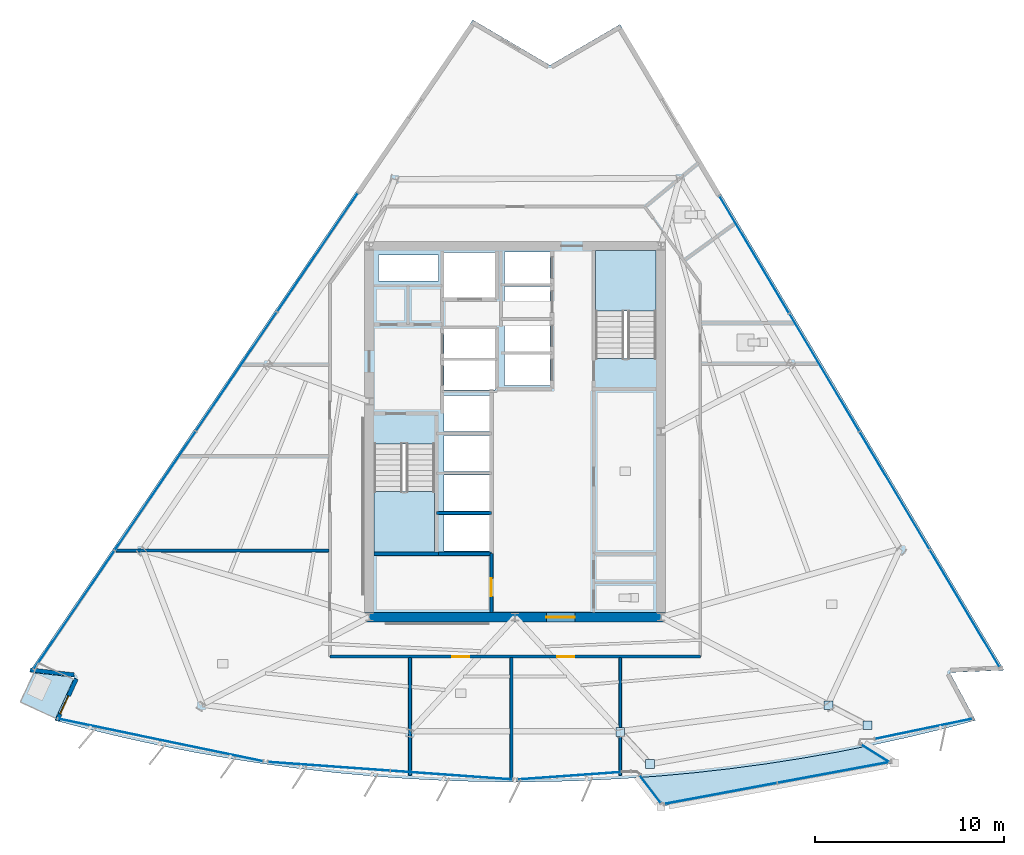
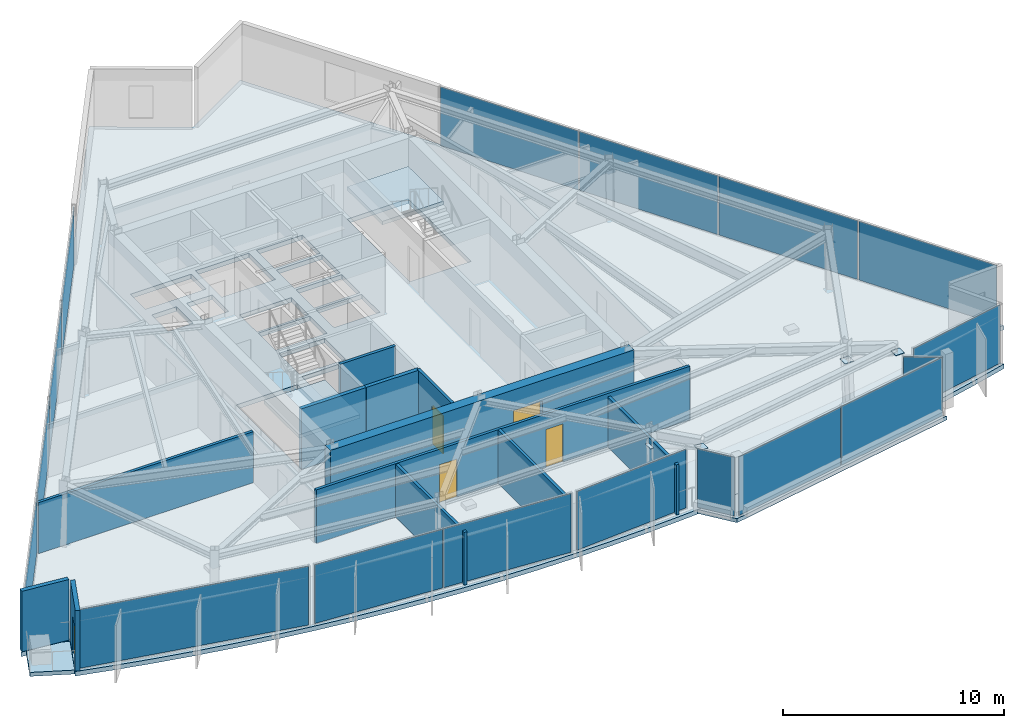
# One storey, part 7 of 13: 21 plates, 12 walls, 5 doors, 5 slabs, 5 openings, 11 elements without a shape of their own.
"""IFC4 building model written with IfcOpenShell, lengths in metres."""

import ifcopenshell
import ifcopenshell.guid

model = None  # the IFC model being written
_history = None  # IfcOwnerHistory: only IFC2X3 demands one
_inside = {}  # id of a spatial element -> (the spatial element, [elements in it])
_under = {}  # id of a project, library or spatial element -> (it, [spatial elements below it])
_declared = {}  # id of a project -> (the project, [libraries it declares])
_typed = {}  # id of a type object -> (the type object, [elements of that type])
_made_of = {}  # id of a material, layer set ... -> (it, [elements and type objects made of it])


def new_model(schema):
    """Start an empty IFC model of exactly this schema.

    Asked for "IFC4X3", IfcOpenShell would pick the latest addendum, in which some entities
    have other attributes; the version numbers below select the first issue.
    IFC2X3 requires an IfcOwnerHistory on every rooted entity: one is made here for all.
    """
    global model, _history
    if schema == "IFC4X3":
        model = ifcopenshell.file(schema_version=(4, 3, 0, 0))
    else:
        model = ifcopenshell.file(schema=schema)
    _inside.clear()
    _under.clear()
    _declared.clear()
    _typed.clear()
    _made_of.clear()
    _history = None
    if model.schema == "IFC2X3":
        org = make("IfcOrganization", Name="unknown")
        user = make(
            "IfcPersonAndOrganization",
            ThePerson=make("IfcPerson", FamilyName="unknown"),
            TheOrganization=org,
        )
        app = make(
            "IfcApplication",
            ApplicationDeveloper=org,
            Version="unknown",
            ApplicationFullName="unknown",
            ApplicationIdentifier="unknown",
        )
        _history = make(
            "IfcOwnerHistory",
            OwningUser=user,
            OwningApplication=app,
            ChangeAction="ADDED",
            CreationDate=0,
        )
    return model


def make(cls, **values):
    """One entity of the class cls with the attributes given. An attribute that is None is left unset."""
    return model.create_entity(
        cls, **{name: value for name, value in values.items() if value is not None}
    )


def rooted(cls, **values):
    """An entity with a GlobalId (a new one), such as an element, a storey or a relation."""
    return make(cls, GlobalId=ifcopenshell.guid.new(), OwnerHistory=_history, **values)


def si_unit(unit_type, name, prefix=None):
    """IfcSIUnit, for example si_unit("LENGTHUNIT", "METRE", prefix="MILLI")."""
    return make("IfcSIUnit", UnitType=unit_type, Prefix=prefix, Name=name)


def assignment(units):
    """IfcUnitAssignment: the units of a project."""
    return None if units is None else make("IfcUnitAssignment", Units=units)


def point(xyz):
    """IfcCartesianPoint."""
    return None if xyz is None else make("IfcCartesianPoint", Coordinates=xyz)


def direction(xyz):
    """IfcDirection."""
    return None if xyz is None else make("IfcDirection", DirectionRatios=xyz)


def frame(location, z_axis=None, x_axis=None):
    """IfcAxis2Placement3D, a coordinate frame: its origin and axes. An axis left out is left unset."""
    return make(
        "IfcAxis2Placement3D",
        Location=point(location),
        Axis=direction(z_axis),
        RefDirection=direction(x_axis),
    )


def frame_2d(location, x_axis=None):
    """IfcAxis2Placement2D, a coordinate frame in the plane: its origin and x axis."""
    return make(
        "IfcAxis2Placement2D", Location=point(location), RefDirection=direction(x_axis)
    )


def origin():
    """The frame at (0, 0, 0) with its axes left unset."""
    return frame((0.0, 0.0, 0.0))


def origin_2d():
    """The frame at (0, 0) in the plane with its x axis left unset."""
    return frame_2d((0.0, 0.0))


def place(relative_to, where):
    """IfcLocalPlacement: puts the frame where relative to a parent placement (None: the world)."""
    return make(
        "IfcLocalPlacement", PlacementRelTo=relative_to, RelativePlacement=where
    )


def context(
    kind, dimensions, precision=None, world=None, true_north=None, identifier=None
):
    """IfcGeometricRepresentationContext, for example the 3D "Model" context."""
    return make(
        "IfcGeometricRepresentationContext",
        ContextIdentifier=identifier,
        ContextType=kind,
        CoordinateSpaceDimension=dimensions,
        Precision=precision,
        WorldCoordinateSystem=world,
        TrueNorth=true_north,
    )


def subcontext(parent, identifier, kind, view, scale=None):
    """IfcGeometricRepresentationSubContext, for example "Body" below "Model"."""
    return make(
        "IfcGeometricRepresentationSubContext",
        ContextIdentifier=identifier,
        ContextType=kind,
        ParentContext=parent,
        TargetScale=scale,
        TargetView=view,
    )


def project(units=None, contexts=None):
    """IfcProject with its units and contexts."""
    return rooted(
        "IfcProject",
        Name="project",
        RepresentationContexts=contexts,
        UnitsInContext=assignment(units),
    )


def spatial(cls, under=None, at=None, **own):
    """A site, building, storey or space (cls), placed at a placement, below another one or the project."""
    s = rooted(cls, ObjectPlacement=at, **own)
    if under is not None:
        _under.setdefault(under.id(), (under, []))[1].append(s)
    return s


def polyline(points):
    """IfcPolyline through the points."""
    return make("IfcPolyline", Points=[point(p) for p in points])


def profile(cls, at=None, kind="AREA", **sizes):
    """A parametric profile (cls). Its sizes go by their IFC names, for example OverallWidth=200.0."""
    return make(cls, ProfileType=kind, Position=at, **sizes)


def rectangle(**sizes):
    """IfcRectangleProfileDef."""
    return profile("IfcRectangleProfileDef", **sizes)


def outline(outer, holes=None, kind="AREA"):
    """IfcArbitraryClosedProfileDef: a profile drawn as a closed curve; with holes, ...WithVoids."""
    if holes is None:
        return make("IfcArbitraryClosedProfileDef", ProfileType=kind, OuterCurve=outer)
    return make(
        "IfcArbitraryProfileDefWithVoids",
        ProfileType=kind,
        OuterCurve=outer,
        InnerCurves=holes,
    )


def extrude(swept, where, along, depth):
    """IfcExtrudedAreaSolid: the profile swept, set in the frame where, extruded along a direction by depth."""
    return make(
        "IfcExtrudedAreaSolid",
        SweptArea=swept,
        Position=where,
        ExtrudedDirection=direction(along),
        Depth=depth,
    )


def shape(context_of_items, identifier, shape_type, items):
    """IfcShapeRepresentation: the items that make up one representation, for example the "Body"."""
    return make(
        "IfcShapeRepresentation",
        ContextOfItems=context_of_items,
        RepresentationIdentifier=identifier,
        RepresentationType=shape_type,
        Items=items,
    )


def material(Name=None, Category=None):
    """IfcMaterial."""
    return make("IfcMaterial", Name=Name, Category=Category)


def layer(
    of_material, thickness, ventilated=None, Name=None, Category=None, Priority=None
):
    """IfcMaterialLayer: one layer of a wall or slab, of a material (None: an air gap)."""
    return make(
        "IfcMaterialLayer",
        Material=of_material,
        LayerThickness=thickness,
        IsVentilated=ventilated,
        Name=Name,
        Category=Category,
        Priority=Priority,
    )


def layer_set(layers, Name=None):
    """IfcMaterialLayerSet."""
    return make("IfcMaterialLayerSet", MaterialLayers=layers, LayerSetName=Name)


def made_of(thing, what):
    """Note that an element or type object is made of a material, layer set ...; save() writes the relation."""
    if what is not None:
        _made_of.setdefault(what.id(), (what, []))[1].append(thing)
    return thing


def type_object(cls, material=None, **own):
    """A type object (cls), such as IfcWallType, which elements share."""
    return made_of(rooted(cls, **own), material)


def element(
    cls,
    number,
    at=None,
    inside=None,
    cuts=None,
    type_object=None,
    material=None,
    context=None,
    identifier="Body",
    shape_type=None,
    held_by="IfcProductDefinitionShape",
    body=None,
    shapes=None,
    **own,
):
    """One element of the class cls, such as IfcWall. Its Tag is "e" and its number.

    at: its placement. inside: the storey or other place that contains it. cuts: it is an
    opening in that element (IfcRelVoidsElement). A single representation is given by context,
    identifier, shape_type and body (its items); several are given by shapes. held_by: the class
    of the entity that holds the representations. save() writes the other relations.
    """
    e = rooted(cls, Tag="e%d" % number, ObjectPlacement=at, **own)
    if body is not None:
        shapes = [shape(context, identifier, shape_type, body)]
    if shapes is not None:
        e.Representation = make(held_by, Representations=shapes)
    if inside is not None:
        _inside.setdefault(inside.id(), (inside, []))[1].append(e)
    if cuts is not None:
        rooted(
            "IfcRelVoidsElement", RelatingBuildingElement=cuts, RelatedOpeningElement=e
        )
    if type_object is not None:
        _typed.setdefault(type_object.id(), (type_object, []))[1].append(e)
    return made_of(e, material)


def fill(opening, filler):
    """IfcRelFillsElement: the door or window that sits in an opening."""
    return rooted(
        "IfcRelFillsElement",
        RelatingOpeningElement=opening,
        RelatedBuildingElement=filler,
    )


def aggregate(whole, parts):
    """IfcRelAggregates: a whole, such as a stair, and the parts it consists of."""
    return rooted("IfcRelAggregates", RelatingObject=whole, RelatedObjects=parts)


def save(model, path):
    """Write the relations noted so far, then the file.

    IfcRelAggregates (storeys below a building ...), IfcRelContainedInSpatialStructure (elements
    in a storey), IfcRelDefinesByType, IfcRelAssociatesMaterial and IfcRelDeclares: one each for
    every whole, place, type object, material and project.
    """
    for whole, parts in _under.values():
        aggregate(whole, parts)
    for where, things in _inside.values():
        rooted(
            "IfcRelContainedInSpatialStructure",
            RelatedElements=things,
            RelatingStructure=where,
        )
    for kind, things in _typed.values():
        rooted("IfcRelDefinesByType", RelatedObjects=things, RelatingType=kind)
    for what, things in _made_of.values():
        rooted("IfcRelAssociatesMaterial", RelatedObjects=things, RelatingMaterial=what)
    for by, libraries in _declared.values():
        rooted("IfcRelDeclares", RelatingContext=by, RelatedDefinitions=libraries)
    model.write(path)


model = new_model("IFC4")

# Units and contexts
model_context = context("Model", 3, precision=1e-05, world=origin(), true_north=direction((0.0, 1.0)))
body_context = subcontext(model_context, "Body", "Model", "MODEL_VIEW")
ifc_project = project(units=[si_unit("LENGTHUNIT", "METRE"), si_unit("AREAUNIT", "SQUARE_METRE"), si_unit("VOLUMEUNIT", "CUBIC_METRE"), si_unit("PLANEANGLEUNIT", "RADIAN"), si_unit("MASSUNIT", "GRAM", prefix="KILO")], contexts=[model_context])

# Site, building, storey
site_placement = place(None, origin())
site = spatial("IfcSite", under=ifc_project, at=site_placement, CompositionType="ELEMENT")
building_placement = place(site_placement, origin())
building = spatial("IfcBuilding", under=site, at=building_placement, Name="Savorim Split Tower", CompositionType="ELEMENT")
storey_placement = place(building_placement, frame((0.0, 0.0, 216.300048828125)))
storey = spatial("IfcBuildingStorey", under=building, at=storey_placement, Name="L57", CompositionType="ELEMENT", Elevation=216.300048828125)

# Curtain wall, plate
ifc_material_1 = material(Name="Dark Ceramic-Fritted Insulated Glass", Category="glass")
curtain_wall_type_1 = type_object("IfcCurtainWallType", Name="CW-TWR-FRIT-B", PredefinedType="NOTDEFINED", material=ifc_material_1)
curtain_wall_1_placement = place(storey_placement, origin())
curtain_wall_1 = element("IfcCurtainWall", 1, at=curtain_wall_1_placement, inside=storey, type_object=curtain_wall_type_1, Name="L57 Curtain Wall CW-L57-SF1A", PredefinedType="NOTDEFINED")
ifc_layer_1 = layer(ifc_material_1, 0.02587890625)
ifc_layer_set_1 = layer_set([ifc_layer_1], Name="CWP-FRITB-26")
plate_type_1 = type_object("IfcPlateType", Name="CWP-FRITB-26", PredefinedType="CURTAIN_PANEL", material=ifc_layer_set_1)
plate_1_placement = place(storey_placement, frame((-18.731201171875, -15.885009765625, 0.050048828125), z_axis=(0.0, 0.0, 1.0), x_axis=(0.979135083641, -0.203210452448, 0.0)))
plate_1 = element("IfcPlate", 2, at=plate_1_placement, type_object=plate_type_1, Name="CW-03 panel 1.1", PredefinedType="CURTAIN_PANEL", context=body_context, shape_type="SweptSolid", body=[
    extrude(rectangle(XDim=11.026611328125, YDim=0.02587890625, at=origin_2d()), origin(), (0.0, 0.0, 1.0), 3.25),
])
aggregate(curtain_wall_1, [plate_1])

# Curtain wall, plates
curtain_wall_2_placement = place(storey_placement, origin())
curtain_wall_2 = element("IfcCurtainWall", 3, at=curtain_wall_2_placement, inside=storey, type_object=curtain_wall_type_1, Name="L57 Curtain Wall CW-L57-SF2A", PredefinedType="NOTDEFINED")
plate_2_placement = place(storey_placement, frame((-9.8271484375, -17.277099609375, 0.050048828125), z_axis=(0.0, 0.0, 1.0), x_axis=(0.997436023163, -0.071563815552, 0.0)))
plate_2 = element("IfcPlate", 4, at=plate_2_placement, type_object=plate_type_1, Name="CW-03 panel 1.1", PredefinedType="CURTAIN_PANEL", context=body_context, shape_type="SweptSolid", body=[
    extrude(rectangle(XDim=6.42724609375, YDim=0.02587890625, at=origin_2d()), origin(), (0.0, 0.0, 1.0), 3.25),
])
plate_3_placement = place(storey_placement, frame((-3.3564453125, -17.7412109375, 0.050048828125), z_axis=(0.0, 0.0, 1.0), x_axis=(0.997436023163, -0.071563815552, 0.0)))
plate_3 = element("IfcPlate", 5, at=plate_3_placement, type_object=plate_type_1, Name="CW-03 panel 2.1", PredefinedType="CURTAIN_PANEL", context=body_context, shape_type="SweptSolid", body=[
    extrude(rectangle(XDim=6.42724609375, YDim=0.02587890625, at=origin_2d()), origin(), (0.0, 0.0, 1.0), 3.25),
])
aggregate(curtain_wall_2, [plate_2, plate_3])

# Curtain wall, plate
curtain_wall_3_placement = place(storey_placement, origin())
curtain_wall_3 = element("IfcCurtainWall", 6, at=curtain_wall_3_placement, inside=storey, type_object=curtain_wall_type_1, Name="L57 Curtain Wall CW-L57-SF3A", PredefinedType="NOTDEFINED")
plate_4_placement = place(storey_placement, frame((3.119873046875, -17.75830078125, 0.050048828125), z_axis=(0.0, 0.0, 1.0), x_axis=(0.997434990487, 0.071578207239, 0.0)))
plate_4 = element("IfcPlate", 7, at=plate_4_placement, type_object=plate_type_1, Name="CW-03 panel 1.1", PredefinedType="CURTAIN_PANEL", context=body_context, shape_type="SweptSolid", body=[
    extrude(rectangle(XDim=5.953125, YDim=0.02587890625, at=origin_2d()), origin(), (0.0, 0.0, 1.0), 3.25),
])
aggregate(curtain_wall_3, [plate_4])

curtain_wall_4_placement = place(storey_placement, origin())
curtain_wall_4 = element("IfcCurtainWall", 8, at=curtain_wall_4_placement, inside=storey, type_object=curtain_wall_type_1, Name="L57 Curtain Wall CW-L57-SF4A", PredefinedType="NOTDEFINED")
plate_5_placement = place(storey_placement, frame((21.570556640625, -15.295654296875, 0.050048828125), z_axis=(0.0, 0.0, 1.0), x_axis=(0.979134960925, 0.203211043732, 0.0)))
plate_5 = element("IfcPlate", 9, at=plate_5_placement, type_object=plate_type_1, Name="CW-03 panel 1.1", PredefinedType="CURTAIN_PANEL", context=body_context, shape_type="SweptSolid", body=[
    extrude(rectangle(XDim=5.2265625, YDim=0.02587890625, at=origin_2d()), origin(), (0.0, 0.0, 1.0), 3.25),
])
aggregate(curtain_wall_4, [plate_5])

# Curtain wall, plates
curtain_wall_5_placement = place(storey_placement, origin())
curtain_wall_5 = element("IfcCurtainWall", 10, at=curtain_wall_5_placement, inside=storey, type_object=curtain_wall_type_1, Name="L57 Curtain Wall CW-L57-EAST", PredefinedType="NOTDEFINED")
plate_6_placement = place(storey_placement, frame((23.739013671875, -8.941162109375, 0.050048828125), z_axis=(0.0, 0.0, 1.0), x_axis=(-0.511092175308, 0.859525909056, 0.0)))
plate_6 = element("IfcPlate", 11, at=plate_6_placement, type_object=plate_type_1, Name="CW-03 panel 1.1", PredefinedType="CURTAIN_PANEL", context=body_context, shape_type="SweptSolid", body=[
    extrude(rectangle(XDim=7.167724609375, YDim=0.02587890625, at=origin_2d()), origin(), (0.0, 0.0, 1.0), 3.25),
])
plate_7_placement = place(storey_placement, frame((20.037353515625, -2.7158203125, 0.050048828125), z_axis=(0.0, 0.0, 1.0), x_axis=(-0.511092175308, 0.859525909056, 0.0)))
plate_7 = element("IfcPlate", 12, at=plate_7_placement, type_object=plate_type_1, Name="CW-03 panel 2.1", PredefinedType="CURTAIN_PANEL", context=body_context, shape_type="SweptSolid", body=[
    extrude(rectangle(XDim=7.19775390625, YDim=0.02587890625, at=origin_2d()), origin(), (0.0, 0.0, 1.0), 3.25),
])
plate_8_placement = place(storey_placement, frame((16.328125, 3.522216796875, 0.050048828125), z_axis=(0.0, 0.0, 1.0), x_axis=(-0.511092175308, 0.859525909056, 0.0)))
plate_8 = element("IfcPlate", 13, at=plate_8_placement, type_object=plate_type_1, Name="CW-03 panel 3.1", PredefinedType="CURTAIN_PANEL", context=body_context, shape_type="SweptSolid", body=[
    extrude(rectangle(XDim=7.19775390625, YDim=0.02587890625, at=origin_2d()), origin(), (0.0, 0.0, 1.0), 3.25),
])
plate_9_placement = place(storey_placement, frame((12.626220703125, 9.74755859375, 0.050048828125), z_axis=(0.0, 0.0, 1.0), x_axis=(-0.511092175308, 0.859525909056, 0.0)))
plate_9 = element("IfcPlate", 14, at=plate_9_placement, type_object=plate_type_1, Name="CW-03 panel 4.1", PredefinedType="CURTAIN_PANEL", context=body_context, shape_type="SweptSolid", body=[
    extrude(rectangle(XDim=7.167724609375, YDim=0.02587890625, at=origin_2d()), origin(), (0.0, 0.0, 1.0), 3.25),
])
aggregate(curtain_wall_5, [plate_6, plate_7, plate_8, plate_9])

curtain_wall_6_placement = place(storey_placement, origin())
curtain_wall_6 = element("IfcCurtainWall", 15, at=curtain_wall_6_placement, inside=storey, type_object=curtain_wall_type_1, Name="L57 Curtain Wall CW-L57-WEST", PredefinedType="NOTDEFINED")
plate_10_placement = place(storey_placement, frame((-10.436279296875, 9.86181640625, 0.050048828125), z_axis=(0.0, 0.0, 1.0), x_axis=(-0.562465276773, -0.826820907104, 0.0)))
plate_10 = element("IfcPlate", 16, at=plate_10_placement, type_object=plate_type_1, Name="CW-03 panel 1.1", PredefinedType="CURTAIN_PANEL", context=body_context, shape_type="SweptSolid", body=[
    extrude(rectangle(XDim=7.533447265625, YDim=0.02587890625, at=origin_2d()), origin(), (0.0, 0.0, 1.0), 3.25),
])
plate_11_placement = place(storey_placement, frame((-14.7158203125, 3.571044921875, 0.050048828125), z_axis=(0.0, 0.0, 1.0), x_axis=(-0.562465276773, -0.826820907104, 0.0)))
plate_11 = element("IfcPlate", 17, at=plate_11_placement, type_object=plate_type_1, Name="CW-03 panel 2.1", PredefinedType="CURTAIN_PANEL", context=body_context, shape_type="SweptSolid", body=[
    extrude(rectangle(XDim=7.5634765625, YDim=0.02587890625, at=origin_2d()), origin(), (0.0, 0.0, 1.0), 3.25),
])
plate_12_placement = place(storey_placement, frame((-19.003662109375, -2.732421875, 0.050048828125), z_axis=(0.0, 0.0, 1.0), x_axis=(-0.562465276773, -0.826820907104, 0.0)))
plate_12 = element("IfcPlate", 18, at=plate_12_placement, type_object=plate_type_1, Name="CW-03 panel 3.1", PredefinedType="CURTAIN_PANEL", context=body_context, shape_type="SweptSolid", body=[
    extrude(rectangle(XDim=7.5634765625, YDim=0.02587890625, at=origin_2d()), origin(), (0.0, 0.0, 1.0), 3.25),
])
plate_13_placement = place(storey_placement, frame((-23.283203125, -9.023193359375, 0.050048828125), z_axis=(0.0, 0.0, 1.0), x_axis=(-0.562465276773, -0.826820907104, 0.0)))
plate_13 = element("IfcPlate", 19, at=plate_13_placement, type_object=plate_type_1, Name="CW-03 panel 4.1", PredefinedType="CURTAIN_PANEL", context=body_context, shape_type="SweptSolid", body=[
    extrude(rectangle(XDim=7.533447265625, YDim=0.02587890625, at=origin_2d()), origin(), (0.0, 0.0, 1.0), 3.25),
])
aggregate(curtain_wall_6, [plate_10, plate_11, plate_12, plate_13])

curtain_wall_type_2 = type_object("IfcCurtainWallType", Name="CW-BAY-LOUNGE", PredefinedType="NOTDEFINED", material=ifc_material_1)
curtain_wall_7_placement = place(storey_placement, origin())
curtain_wall_7 = element("IfcCurtainWall", 20, at=curtain_wall_7_placement, inside=storey, type_object=curtain_wall_type_2, Name="L57 Curtain Wall CW-L57-BAYF", PredefinedType="NOTDEFINED")
ifc_material_2 = material(Name="Low-E Operable Double Glazing", Category="glass")
ifc_layer_2 = layer(ifc_material_2, 0.031982421875)
ifc_layer_set_2 = layer_set([ifc_layer_2], Name="CWP-POD-32")
plate_type_2 = type_object("IfcPlateType", Name="CWP-POD-32", PredefinedType="CURTAIN_PANEL", material=ifc_layer_set_2)
plate_14_placement = place(storey_placement, frame((10.849365234375, -18.71142578125, 0.05517578125), z_axis=(0.0, 0.0, 1.0), x_axis=(0.983135530984, 0.182878450662, 0.0)))
plate_14 = element("IfcPlate", 21, at=plate_14_placement, type_object=plate_type_2, Name="CW-04 panel 1.1", PredefinedType="CURTAIN_PANEL", context=body_context, shape_type="SweptSolid", body=[
    extrude(rectangle(XDim=6.04345703125, YDim=0.031982421875, at=origin_2d()), origin(), (0.0, 0.0, 1.0), 3.239990234375),
])
plate_15_placement = place(storey_placement, frame((16.854736328125, -17.59423828125, 0.05517578125), z_axis=(0.0, 0.0, 1.0), x_axis=(0.983135530984, 0.182878450662, 0.0)))
plate_15 = element("IfcPlate", 22, at=plate_15_placement, type_object=plate_type_2, Name="CW-04 panel 2.1", PredefinedType="CURTAIN_PANEL", context=body_context, shape_type="SweptSolid", body=[
    extrude(rectangle(XDim=6.04345703125, YDim=0.031982421875, at=origin_2d()), origin(), (0.0, 0.0, 1.0), 3.239990234375),
])
aggregate(curtain_wall_7, [plate_14, plate_15])

# Curtain wall, plate
curtain_wall_8_placement = place(storey_placement, origin())
curtain_wall_8 = element("IfcCurtainWall", 23, at=curtain_wall_8_placement, inside=storey, type_object=curtain_wall_type_2, Name="L57 Curtain Wall CW-L57-BAYW", PredefinedType="NOTDEFINED")
plate_16_placement = place(storey_placement, frame((7.140380859375, -18.488037109375, 0.05517578125), z_axis=(0.0, 0.0, 1.0), x_axis=(0.61103517746, -0.791603443592, 0.0)))
plate_16 = element("IfcPlate", 24, at=plate_16_placement, type_object=plate_type_2, Name="CW-04 panel 1.1", PredefinedType="CURTAIN_PANEL", context=body_context, shape_type="SweptSolid", body=[
    extrude(rectangle(XDim=1.81005859375, YDim=0.031982421875, at=origin_2d()), origin(), (0.0, 0.0, 1.0), 3.239990234375),
])
aggregate(curtain_wall_8, [plate_16])

curtain_wall_9_placement = place(storey_placement, origin())
curtain_wall_9 = element("IfcCurtainWall", 25, at=curtain_wall_9_placement, inside=storey, type_object=curtain_wall_type_2, Name="L57 Curtain Wall CW-L57-BAYE", PredefinedType="NOTDEFINED")
plate_17_placement = place(storey_placement, frame((19.02099609375, -16.595947265625, 0.05517578125), z_axis=(0.0, 0.0, 1.0), x_axis=(-0.847924820956, 0.53011649475, 0.0)))
plate_17 = element("IfcPlate", 26, at=plate_17_placement, type_object=plate_type_2, Name="CW-04 panel 1.1", PredefinedType="CURTAIN_PANEL", context=body_context, shape_type="SweptSolid", body=[
    extrude(rectangle(XDim=1.705078125, YDim=0.031982421875, at=origin_2d()), origin(), (0.0, 0.0, 1.0), 3.239990234375),
])
aggregate(curtain_wall_9, [plate_17])

# Plates
ifc_material_3 = material(Name="Steel S460", Category="steel")
ifc_layer_3 = layer(ifc_material_3, 0.02490234375)
ifc_layer_set_3 = layer_set([ifc_layer_3], Name="PLT-NODE-CN1")
plate_type_3 = type_object("IfcPlateType", Name="PLT-NODE-CN1", PredefinedType="SHEET", material=ifc_layer_set_3)
for number, where, z_axis, x_axis, name in (
    (27, (5.54541015625, -15.465576171875, 2.4375), (0.0, 0.0, 1.0), (1.0, 0.0, 0.0), "L57 Bay Strut Column Gusset Plate 1"),
    (28, (7.127685546875, -17.1552734375, 2.8076171875), (0.0, 0.0, 1.0), (1.0, 0.0, 0.0), "L57 Bay Strut Tip Gusset Plate 1"),
    (29, (16.545654296875, -14.05322265625, 2.4375), (0.0, 0.0, 1.0), (1.0, 0.0, 0.0), "L57 Bay Strut Column Gusset Plate 2"),
    (30, (18.604248046875, -15.10400390625, 2.8076171875), (0.0, 0.0, 1.0), (1.0, 0.0, 0.0), "L57 Bay Strut Tip Gusset Plate 2"),
):
    element("IfcPlate", number, at=place(storey_placement, frame(where, z_axis=z_axis, x_axis=x_axis)), inside=storey, type_object=plate_type_3, Name=name, PredefinedType="SHEET", context=body_context, shape_type="SweptSolid", body=[
        extrude(rectangle(XDim=0.4599609375, YDim=0.4599609375, at=origin_2d()), origin(), (0.0, 0.0, 1.0), 0.02490234375),
    ])

# Slabs
ifc_material_4 = material(Name="Concrete C50/60", Category="concrete")
ifc_layer_4 = layer(ifc_material_4, 0.219970703125)
ifc_layer_set_4 = layer_set([ifc_layer_4], Name="SLB-BAL-220")
slab_type_1 = type_object("IfcSlabType", Name="SLB-BAL-220", PredefinedType="FLOOR", material=ifc_layer_set_4)
slab_1_placement = place(storey_placement, frame((0.0, 0.0, -0.219970703125)))
element("IfcSlab", 31, at=slab_1_placement, inside=storey, type_object=slab_type_1, Name="L57 Cantilevered Shared Kitchen Lounge Slab", PredefinedType="FLOOR", context=body_context, shape_type="SweptSolid", body=[
    extrude(outline(polyline([(18.594970703125, -16.211669921875), (16.934326171875, -16.53857421875), (15.070556640625, -16.865966796875), (13.20068359375, -17.1552734375), (11.3251953125, -17.40625), (9.44482421875, -17.618896484375), (7.560546875, -17.792724609375), (6.5341796875, -17.866455078125), (7.715087890625, -19.396240234375), (20.02587890625, -17.106201171875), (18.594970703125, -16.211669921875)])), origin(), (0.0, 0.0, 1.0), 0.219970703125),
])
slab_2_placement = place(storey_placement, frame((0.0, 0.0, -0.219970703125)))
element("IfcSlab", 32, at=slab_2_placement, inside=storey, type_object=slab_type_1, Name="L57 Notched Corner Planted Tree Balcony Slab", PredefinedType="FLOOR", context=body_context, shape_type="SweptSolid", body=[
    extrude(outline(polyline([(-24.264892578125, -14.738525390625), (-23.3173828125, -12.676025390625), (-23.627685546875, -12.533447265625), (-25.410888671875, -12.33447265625), (-26.123046875, -13.884765625), (-24.264892578125, -14.738525390625)])), origin(), (0.0, 0.0, 1.0), 0.219970703125),
])

# Stair, slab
stair_type = type_object("IfcStairType", Name="STR-DOG-3600", PredefinedType="HALF_TURN_STAIR", material=ifc_material_4)
stair_1_placement = place(storey_placement, origin())
stair_1 = element("IfcStair", 33, at=stair_1_placement, inside=storey, type_object=stair_type, Name="L57 Core Protected Exit Stair ST-1", PredefinedType="HALF_TURN_STAIR")
ifc_layer_5 = layer(ifc_material_4, 0.199951171875)
ifc_layer_set_5 = layer_set([ifc_layer_5], Name="SLB-LND-200")
slab_type_2 = type_object("IfcSlabType", Name="SLB-LND-200", PredefinedType="LANDING", material=ifc_layer_set_5)
slab_3_placement = place(storey_placement, frame((0.0, 0.0, 1.599853515625)))
slab_3 = element("IfcSlab", 34, at=slab_3_placement, type_object=slab_type_2, Name="ST-1 landing 1", PredefinedType="LANDING", context=body_context, shape_type="SweptSolid", body=[
    extrude(outline(polyline([(-7.449951171875, -2.77001953125), (-7.449951171875, -5.949951171875), (-4.25, -5.949951171875), (-4.25, -2.77001953125), (-7.449951171875, -2.77001953125)])), origin(), (0.0, 0.0, 1.0), 0.2001953125),
])
aggregate(stair_1, [slab_3])

stair_2_placement = place(storey_placement, origin())
stair_2 = element("IfcStair", 35, at=stair_2_placement, inside=storey, type_object=stair_type, Name="L57 Core Protected Exit Stair ST-2", PredefinedType="HALF_TURN_STAIR")
slab_4_placement = place(storey_placement, frame((0.0, 0.0, 1.599853515625)))
slab_4 = element("IfcSlab", 36, at=slab_4_placement, type_object=slab_type_2, Name="ST-2 landing 1", PredefinedType="LANDING", context=body_context, shape_type="SweptSolid", body=[
    extrude(outline(polyline([(7.449951171875, 6.77001953125), (7.449951171875, 9.949951171875), (4.25, 9.949951171875), (4.25, 6.77001953125), (7.449951171875, 6.77001953125)])), origin(), (0.0, 0.0, 1.0), 0.2001953125),
])
aggregate(stair_2, [slab_4])

# Slab
ifc_layer_6 = layer(ifc_material_4, 0.25)
ifc_layer_set_6 = layer_set([ifc_layer_6], Name="SLB-TWR-250")
slab_type_3 = type_object("IfcSlabType", Name="SLB-TWR-250", PredefinedType="FLOOR", material=ifc_layer_set_6)
slab_5_placement = place(storey_placement, frame((0.0, 0.0, -0.25)))
element("IfcSlab", 37, at=slab_5_placement, inside=storey, type_object=slab_type_3, Name="L57 Structural Floor Slab", PredefinedType="FLOOR", context=body_context, shape_type="SweptSolid", body=[
    extrude(outline(polyline([(-24.310302734375, -14.849609375), (-22.479736328125, -15.328369140625), (-20.6396484375, -15.76953125), (-18.791015625, -16.173095703125), (-16.934326171875, -16.53857421875), (-15.070556640625, -16.865966796875), (-13.20068359375, -17.1552734375), (-11.3251953125, -17.40625), (-9.44482421875, -17.618896484375), (-7.560546875, -17.792724609375), (-5.673095703125, -17.92822265625), (-3.783447265625, -18.02490234375), (-1.89208984375, -18.0830078125), (0.0, -18.102294921875), (1.89208984375, -18.0830078125), (3.783447265625, -18.02490234375), (5.673095703125, -17.92822265625), (7.560546875, -17.792724609375), (9.44482421875, -17.618896484375), (11.3251953125, -17.40625), (13.20068359375, -17.1552734375), (15.070556640625, -16.865966796875), (16.934326171875, -16.53857421875), (18.791015625, -16.173095703125), (20.6396484375, -15.76953125), (22.479736328125, -15.328369140625), (24.310302734375, -14.849609375), (22.95458984375, -12.32275390625), (25.81689453125, -12.200927734375), (5.54150390625, 21.897216796875), (1.84033203125, 19.739990234375), (-2.23291015625, 22.134033203125), (-25.65869140625, -12.3017578125), (-23.2626953125, -12.569091796875), (-24.310302734375, -14.849609375)]), holes=[polyline([(-7.449951171875, -0.25390625), (-7.449951171875, -5.949951171875), (-4.25, -5.949951171875), (-4.25, -0.25390625), (-7.449951171875, -0.25390625)]), polyline([(7.449951171875, 4.25390625), (7.449951171875, 9.949951171875), (4.25, 9.949951171875), (4.25, 4.25390625), (7.449951171875, 4.25390625)]), polyline([(-3.75, -5.89990234375), (-1.35009765625, -5.89990234375), (-1.35009765625, -4.0), (-3.75, -4.0), (-3.75, -5.89990234375)]), polyline([(-3.75, -3.800048828125), (-1.35009765625, -3.800048828125), (-1.35009765625, -1.89990234375), (-3.75, -1.89990234375), (-3.75, -3.800048828125)]), polyline([(-3.75, -1.699951171875), (-1.35009765625, -1.699951171875), (-1.35009765625, 0.199951171875), (-3.75, 0.199951171875), (-3.75, -1.699951171875)]), polyline([(-3.75, 0.39990234375), (-1.35009765625, 0.39990234375), (-1.35009765625, 2.300048828125), (-3.75, 2.300048828125), (-3.75, 0.39990234375)]), polyline([(-0.550048828125, 2.830078125), (1.85009765625, 2.830078125), (1.85009765625, 4.469970703125), (-0.550048828125, 4.469970703125), (-0.550048828125, 2.830078125)]), polyline([(-0.550048828125, 4.6298828125), (1.85009765625, 4.6298828125), (1.85009765625, 6.27001953125), (-0.550048828125, 6.27001953125), (-0.550048828125, 4.6298828125)]), polyline([(-0.550048828125, 6.429931640625), (1.85009765625, 6.429931640625), (1.85009765625, 8.070068359375), (-0.550048828125, 8.070068359375), (-0.550048828125, 6.429931640625)]), polyline([(-0.550048828125, 8.22998046875), (1.85009765625, 8.22998046875), (1.85009765625, 9.8701171875), (-0.550048828125, 9.8701171875), (-0.550048828125, 8.22998046875)]), polyline([(-3.75, 2.60009765625), (-1.050048828125, 2.60009765625), (-1.050048828125, 4.159912109375), (-3.75, 4.159912109375), (-3.75, 2.60009765625)]), polyline([(-3.75, 4.280029296875), (-1.050048828125, 4.280029296875), (-1.050048828125, 5.840087890625), (-3.75, 5.840087890625), (-3.75, 4.280029296875)]), polyline([(-3.75, 7.449951171875), (-0.949951171875, 7.449951171875), (-0.949951171875, 9.85009765625), (-3.75, 9.85009765625), (-3.75, 7.449951171875)]), polyline([(-7.219970703125, 6.320068359375), (-5.919921875, 6.320068359375), (-5.919921875, 7.820068359375), (-7.219970703125, 7.820068359375), (-7.219970703125, 6.320068359375)]), polyline([(-5.3798828125, 6.320068359375), (-4.050048828125, 6.320068359375), (-4.050048828125, 7.820068359375), (-5.3798828125, 7.820068359375), (-5.3798828125, 6.320068359375)]), polyline([(-7.219970703125, 8.360107421875), (-4.050048828125, 8.360107421875), (-4.050048828125, 9.719970703125), (-7.219970703125, 9.719970703125), (-7.219970703125, 8.360107421875)])]), origin(), (0.0, 0.0, 1.0), 0.25),
])

# Wall, opening, door
ifc_material_5 = material(Name="Concrete C60/75", Category="concrete")
ifc_layer_7 = layer(ifc_material_5, 0.5)
ifc_layer_set_7 = layer_set([ifc_layer_7], Name="WAL-COR-SH500")
wall_type_1 = type_object("IfcWallType", Name="WAL-COR-SH500", PredefinedType="SHEAR", material=ifc_layer_set_7)
wall_1_placement = place(storey_placement, frame((-7.949951171875, -9.39990234375, 0.0), z_axis=(0.0, 0.0, 1.0), x_axis=(1.0, 0.0, 0.0)))
wall_1 = element("IfcWall", 38, at=wall_1_placement, inside=storey, type_object=wall_type_1, Name="L57 Offset Core South Shear Wall", PredefinedType="SHEAR", context=body_context, shape_type="SweptSolid", body=[
    extrude(rectangle(XDim=15.89990234375, YDim=0.5, at=frame_2d((7.949951171875, 0.0))), origin(), (0.0, 0.0, 1.0), 3.349853515625),
])
opening_1_placement = place(wall_1_placement, frame((9.60009765625, 0.0, 0.0)))
opening_1 = element("IfcOpeningElement", 39, at=opening_1_placement, cuts=wall_1, Name="Opening DI-02", PredefinedType="OPENING", context=body_context, shape_type="SweptSolid", body=[
    extrude(rectangle(XDim=1.5, YDim=2.199951171875, at=frame_2d((0.75, 1.10009765625))), frame((0.0, 0.260009765625, 0.0), z_axis=(0.0, -1.0, 0.0), x_axis=(1.0, 0.0, 0.0)), (0.0, 0.0, 1.0), 0.52001953125),
])
ifc_material_6 = material(Name="Timber Fire Door Leaf", Category="wood")
door_type_1 = type_object("IfcDoorType", Name="DOR-DBL-1500", OperationType="NOTDEFINED", PredefinedType="DOOR", material=ifc_material_6)
door_1_placement = place(opening_1_placement, origin())
door_1 = element("IfcDoor", 40, at=door_1_placement, inside=storey, type_object=door_type_1, Name="DOR-L57-COR-LLOB - L57 Lift Lobby Main Rated Door", OperationType="DOUBLE_DOOR_SINGLE_SWING", OverallHeight=2.199951171875, OverallWidth=1.5, PredefinedType="DOOR", context=body_context, shape_type="SweptSolid", body=[
    extrude(rectangle(XDim=1.5, YDim=2.199951171875, at=frame_2d((0.75, 1.10009765625))), frame((0.0, 0.02490234375, 0.0), z_axis=(0.0, -1.0, 0.0), x_axis=(1.0, 0.0, 0.0)), (0.0, 0.0, 1.0), 0.050048828125),
])
fill(opening_1, door_1)

# Wall
ifc_material_7 = material(Name="Precast concrete C40/50", Category="concrete")
ifc_layer_8 = layer(ifc_material_7, 0.219970703125)
ifc_layer_set_8 = layer_set([ifc_layer_8], Name="WAL-EXT-CRN220")
wall_type_2 = type_object("IfcWallType", Name="WAL-EXT-CRN220", PredefinedType="SOLIDWALL", material=ifc_layer_set_8)
wall_2_placement = place(storey_placement, frame((-23.2890625, -12.445556640625, 0.0), z_axis=(0.0, 0.0, 1.0), x_axis=(-0.993829972675, 0.110914315635, 0.0)))
element("IfcWall", 41, at=wall_2_placement, inside=storey, type_object=wall_type_2, Name="L57 Notched Corner Facade Wall SW1", PredefinedType="SOLIDWALL", context=body_context, shape_type="SweptSolid", body=[
    extrude(rectangle(XDim=2.3310546875, YDim=0.219970703125, at=frame_2d((1.16552734375, 0.0))), origin(), (0.0, 0.0, 1.0), 3.349853515625),
])

# Wall, opening, door
wall_3_placement = place(storey_placement, frame((-24.184814453125, -14.86328125, 0.0), z_axis=(0.0, 0.0, 1.0), x_axis=(0.417509141111, 0.90867272276, 0.0)))
wall_3 = element("IfcWall", 42, at=wall_3_placement, inside=storey, type_object=wall_type_2, Name="L57 Notched Corner Facade Wall SW", PredefinedType="SOLIDWALL", context=body_context, shape_type="SweptSolid", body=[
    extrude(rectangle(XDim=2.4296875, YDim=0.219970703125, at=frame_2d((1.21484375, 0.0))), origin(), (0.0, 0.0, 1.0), 3.349853515625),
])
opening_2_placement = place(wall_3_placement, frame((0.389892578125, 0.0, 0.0)))
opening_2 = element("IfcOpeningElement", 43, at=opening_2_placement, cuts=wall_3, Name="Opening DB-01", PredefinedType="OPENING", context=body_context, shape_type="SweptSolid", body=[
    extrude(rectangle(XDim=1.050048828125, YDim=2.14990234375, at=frame_2d((0.52490234375, 1.074951171875))), frame((0.0, 0.119873046875, 0.0), z_axis=(0.0, -1.0, 0.0), x_axis=(1.0, 0.0, 0.0)), (0.0, 0.0, 1.0), 0.239990234375),
])
ifc_material_8 = material(Name="Charcoal Anodised Aluminium", Category="aluminium")
door_type_2 = type_object("IfcDoorType", Name="DOR-BAL-1050", OperationType="NOTDEFINED", PredefinedType="DOOR", material=ifc_material_8)
door_2_placement = place(opening_2_placement, origin())
door_2 = element("IfcDoor", 44, at=door_2_placement, inside=storey, type_object=door_type_2, Name="DOR-L57-TBAL-SW - L57 Planted Tree Balcony Door SW", OperationType="SINGLE_SWING_RIGHT", OverallHeight=2.14990234375, OverallWidth=1.050048828125, PredefinedType="DOOR", context=body_context, shape_type="SweptSolid", body=[
    extrude(rectangle(XDim=1.050048828125, YDim=2.14990234375, at=frame_2d((0.52490234375, 1.074951171875))), frame((0.0, 0.02490234375, 0.0), z_axis=(0.0, -1.0, 0.0), x_axis=(1.0, 0.0, 0.0)), (0.0, 0.0, 1.0), 0.050048828125),
])
fill(opening_2, door_2)

# Walls
ifc_layer_9 = layer(ifc_material_4, 0.199951171875)
ifc_layer_set_9 = layer_set([ifc_layer_9], Name="WAL-INT-RC200")
wall_type_3 = type_object("IfcWallType", Name="WAL-INT-RC200", PredefinedType="SOLIDWALL", material=ifc_layer_set_9)
wall_4_placement = place(storey_placement, frame((-7.449951171875, -6.050048828125, 0.0), z_axis=(0.0, 0.0, 1.0), x_axis=(1.0, 0.0, 0.0)))
element("IfcWall", 45, at=wall_4_placement, inside=storey, type_object=wall_type_3, Name="L57 Structural Shaft Wall W-L57-KSEP-W", PredefinedType="SOLIDWALL", context=body_context, shape_type="SweptSolid", body=[
    extrude(rectangle(XDim=3.39990234375, YDim=0.199951171875, at=frame_2d((1.699951171875, 0.0))), origin(), (0.0, 0.0, 1.0), 3.349853515625),
])
wall_5_placement = place(storey_placement, frame((-4.0400390625, -6.050048828125, 0.0), z_axis=(0.0, 0.0, 1.0), x_axis=(1.0, 0.0, 0.0)))
element("IfcWall", 46, at=wall_5_placement, inside=storey, type_object=wall_type_3, Name="L57 Partition W-L57-KSEP-W2", PredefinedType="SOLIDWALL", context=body_context, shape_type="SweptSolid", body=[
    extrude(rectangle(XDim=2.7900390625, YDim=0.199951171875, at=frame_2d((1.39501953125, 0.0))), origin(), (0.0, 0.0, 1.0), 3.349853515625),
])
ifc_material_9 = material(Name="Acoustic Gypsum Partition Board")
ifc_layer_10 = layer(ifc_material_9, 0.14990234375)
ifc_layer_set_10 = layer_set([ifc_layer_10], Name="WAL-PAR-150")
wall_type_4 = type_object("IfcWallType", Name="WAL-PAR-150", PredefinedType="PARTITIONING", material=ifc_layer_set_10)
wall_6_placement = place(storey_placement, frame((-4.14990234375, -3.89990234375, 0.0), z_axis=(0.0, 0.0, 1.0), x_axis=(1.0, 0.0, 0.0)))
element("IfcWall", 47, at=wall_6_placement, inside=storey, type_object=wall_type_4, Name="L57 Partition W-L57-B2DIV1", PredefinedType="PARTITIONING", context=body_context, shape_type="SweptSolid", body=[
    extrude(rectangle(XDim=2.89990234375, YDim=0.14990234375, at=frame_2d((1.449951171875, 0.0))), origin(), (0.0, 0.0, 1.0), 3.349853515625),
])

# Wall, opening, door
wall_7_placement = place(storey_placement, frame((-1.25, -9.14501953125, 0.0), z_axis=(0.0, 0.0, 1.0), x_axis=(0.0, 1.0, 0.0)))
wall_7 = element("IfcWall", 48, at=wall_7_placement, inside=storey, type_object=wall_type_4, Name="L57 Partition W-L57-KLOB-W", PredefinedType="PARTITIONING", context=body_context, shape_type="SweptSolid", body=[
    extrude(rectangle(XDim=3.094970703125, YDim=0.14990234375, at=frame_2d((1.54736328125, 0.0))), origin(), (0.0, 0.0, 1.0), 3.349853515625),
])
opening_3_placement = place(wall_7_placement, frame((0.844970703125, 0.0, 0.0)))
opening_3 = element("IfcOpeningElement", 49, at=opening_3_placement, cuts=wall_7, Name="Opening DI-05", PredefinedType="OPENING", context=body_context, shape_type="SweptSolid", body=[
    extrude(rectangle(XDim=0.949951171875, YDim=2.10009765625, at=frame_2d((0.47509765625, 1.050048828125))), frame((0.0, 0.0849609375, 0.0), z_axis=(0.0, -1.0, 0.0), x_axis=(1.0, 0.0, 0.0)), (0.0, 0.0, 1.0), 0.169921875),
])
door_type_3 = type_object("IfcDoorType", Name="DOR-FIR-950", OperationType="NOTDEFINED", PredefinedType="DOOR", material=ifc_material_6)
door_3_placement = place(opening_3_placement, origin())
door_3 = element("IfcDoor", 50, at=door_3_placement, inside=storey, type_object=door_type_3, Name="DR-L57-K3LIN - L57 Housekeeping Store Door", OperationType="SINGLE_SWING_LEFT", OverallHeight=2.10009765625, OverallWidth=0.949951171875, PredefinedType="DOOR", context=body_context, shape_type="SweptSolid", body=[
    extrude(rectangle(XDim=0.949951171875, YDim=2.10009765625, at=frame_2d((0.47509765625, 1.050048828125))), frame((0.0, 0.02490234375, 0.0), z_axis=(0.0, -1.0, 0.0), x_axis=(1.0, 0.0, 0.0)), (0.0, 0.0, 1.0), 0.050048828125),
])
fill(opening_3, door_3)

# Wall, openings, doors
wall_8_placement = place(storey_placement, frame((9.780029296875, -11.47998046875, 0.0), z_axis=(0.0, 0.0, 1.0), x_axis=(-1.0, 0.0, 0.0)))
wall_8 = element("IfcWall", 51, at=wall_8_placement, inside=storey, type_object=wall_type_4, Name="L57 Partition W-L57-COR-06", PredefinedType="PARTITIONING", context=body_context, shape_type="SweptSolid", body=[
    extrude(rectangle(XDim=19.56005859375, YDim=0.14990234375, at=frame_2d((9.780029296875, 0.0))), origin(), (0.0, 0.0, 1.0), 2.96484375),
])
opening_4_placement = place(wall_8_placement, frame((12.202392578125, 0.0, 0.0)))
opening_4 = element("IfcOpeningElement", 52, at=opening_4_placement, cuts=wall_8, Name="Opening DI-06", PredefinedType="OPENING", context=body_context, shape_type="SweptSolid", body=[
    extrude(rectangle(XDim=0.89990234375, YDim=2.10009765625, at=frame_2d((0.449951171875, 1.050048828125))), frame((0.0, 0.0849609375, 0.0), z_axis=(0.0, -1.0, 0.0), x_axis=(1.0, 0.0, 0.0)), (0.0, 0.0, 1.0), 0.169921875),
])
opening_5_placement = place(wall_8_placement, frame((6.652587890625, 0.0, 0.0)))
opening_5 = element("IfcOpeningElement", 53, at=opening_5_placement, cuts=wall_8, Name="Opening DI-06", PredefinedType="OPENING", context=body_context, shape_type="SweptSolid", body=[
    extrude(rectangle(XDim=0.89990234375, YDim=2.10009765625, at=frame_2d((0.449951171875, 1.050048828125))), frame((0.0, 0.0849609375, 0.0), z_axis=(0.0, -1.0, 0.0), x_axis=(1.0, 0.0, 0.0)), (0.0, 0.0, 1.0), 0.169921875),
])
door_type_4 = type_object("IfcDoorType", Name="DOR-FIR-900", OperationType="NOTDEFINED", PredefinedType="DOOR", material=ifc_material_6)
door_4_placement = place(opening_4_placement, origin())
door_4 = element("IfcDoor", 54, at=door_4_placement, inside=storey, type_object=door_type_4, Name="DR-L57-RM03 - L57 Shared Kitchen Entry Door", OperationType="SINGLE_SWING_RIGHT", OverallHeight=2.10009765625, OverallWidth=0.89990234375, PredefinedType="DOOR", context=body_context, shape_type="SweptSolid", body=[
    extrude(rectangle(XDim=0.89990234375, YDim=2.10009765625, at=frame_2d((0.449951171875, 1.050048828125))), frame((0.0, 0.02490234375, 0.0), z_axis=(0.0, -1.0, 0.0), x_axis=(1.0, 0.0, 0.0)), (0.0, 0.0, 1.0), 0.050048828125),
])
fill(opening_4, door_4)
door_5_placement = place(opening_5_placement, origin())
door_5 = element("IfcDoor", 55, at=door_5_placement, inside=storey, type_object=door_type_4, Name="DR-L57-RM04 - L57 Maker Workshop Entry Door", OperationType="SINGLE_SWING_LEFT", OverallHeight=2.10009765625, OverallWidth=0.89990234375, PredefinedType="DOOR", context=body_context, shape_type="SweptSolid", body=[
    extrude(rectangle(XDim=0.89990234375, YDim=2.10009765625, at=frame_2d((0.449951171875, 1.050048828125))), frame((0.0, 0.02490234375, 0.0), z_axis=(0.0, -1.0, 0.0), x_axis=(1.0, 0.0, 0.0)), (0.0, 0.0, 1.0), 0.050048828125),
])
fill(opening_5, door_5)

# Walls
wall_9_placement = place(storey_placement, frame((-5.5498046875, -11.5400390625, 0.0), z_axis=(0.0, 0.0, 1.0), x_axis=(0.0, -1.0, 0.0)))
element("IfcWall", 56, at=wall_9_placement, inside=storey, type_object=wall_type_4, Name="L57 Partition W-L57-PRAD02", PredefinedType="PARTITIONING", context=body_context, shape_type="SweptSolid", body=[
    extrude(rectangle(XDim=6.224365234375, YDim=0.14990234375, at=frame_2d((3.1123046875, 0.0))), origin(), (0.0, 0.0, 1.0), 2.925048828125),
])
wall_10_placement = place(storey_placement, frame((5.5498046875, -11.5400390625, 0.0), z_axis=(0.0, 0.0, 1.0), x_axis=(0.0, -1.0, 0.0)))
element("IfcWall", 57, at=wall_10_placement, inside=storey, type_object=wall_type_4, Name="L57 Partition W-L57-PRAD03", PredefinedType="PARTITIONING", context=body_context, shape_type="SweptSolid", body=[
    extrude(rectangle(XDim=6.224365234375, YDim=0.14990234375, at=frame_2d((3.1123046875, 0.0))), origin(), (0.0, 0.0, 1.0), 2.77490234375),
])
wall_11_placement = place(storey_placement, frame((-9.840087890625, -5.88427734375, 0.0), z_axis=(0.0, 0.0, 1.0), x_axis=(-1.0, 0.0, 0.0)))
element("IfcWall", 58, at=wall_11_placement, inside=storey, type_object=wall_type_4, Name="L57 Partition W-L57-PRAD10", PredefinedType="PARTITIONING", context=body_context, shape_type="SweptSolid", body=[
    extrude(rectangle(XDim=11.247314453125, YDim=0.14990234375, at=frame_2d((5.62353515625, 0.0))), origin(), (0.0, 0.0, 1.0), 2.824951171875),
])
wall_12_placement = place(storey_placement, frame((-0.195068359375, -11.5400390625, 0.0), z_axis=(0.0, 0.0, 1.0), x_axis=(0.0, -1.0, 0.0)))
element("IfcWall", 59, at=wall_12_placement, inside=storey, type_object=wall_type_4, Name="L57 Partition W-L57-SUB02", PredefinedType="PARTITIONING", context=body_context, shape_type="SweptSolid", body=[
    extrude(rectangle(XDim=6.390380859375, YDim=0.14990234375, at=frame_2d((3.1953125, 0.0))), origin(), (0.0, 0.0, 1.0), 2.974853515625),
])

save(model, "model.ifc")
